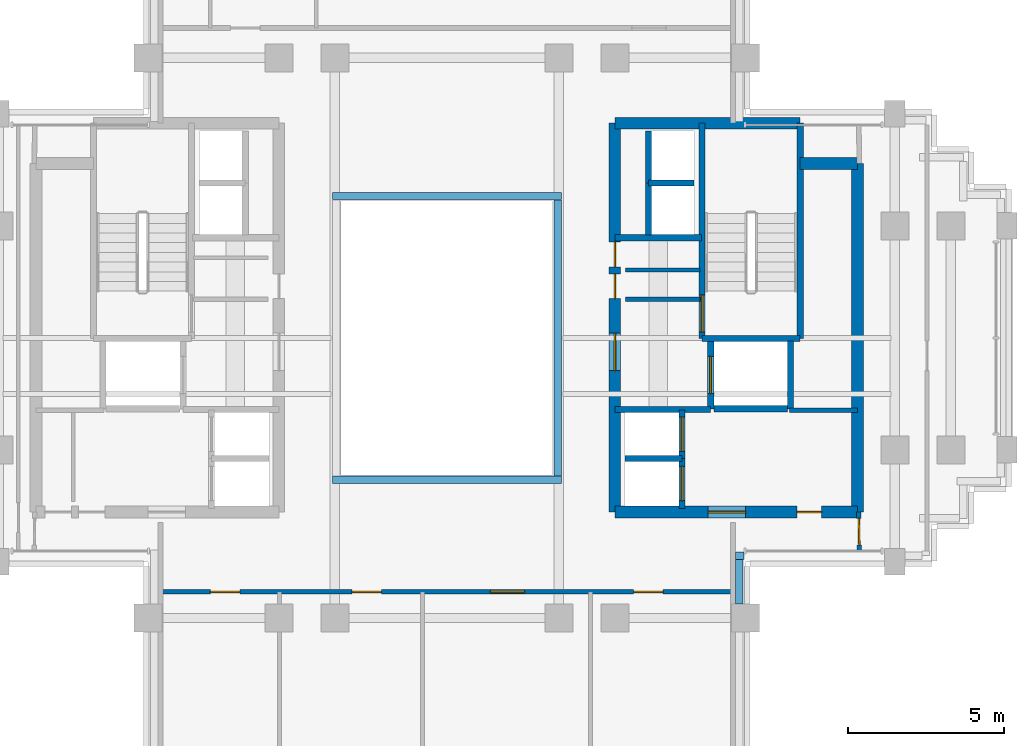
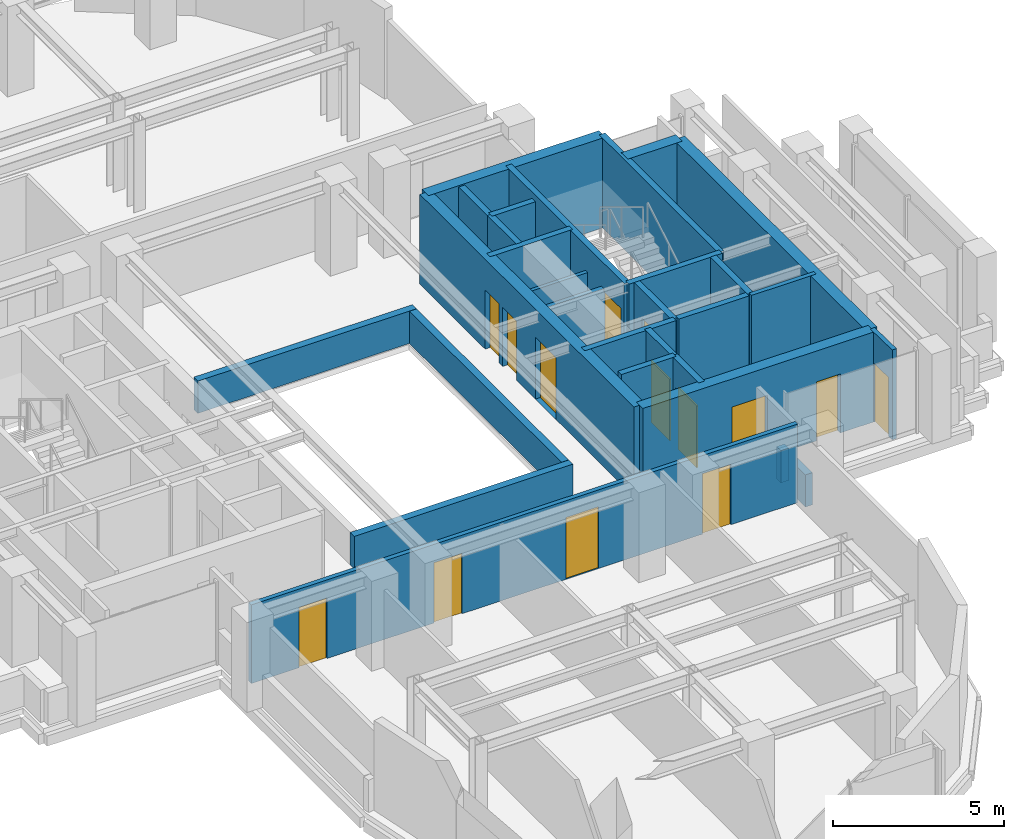
# One storey, part 7 of 11: 29 walls, 14 doors, 14 openings.
"""IFC4 building model written with IfcOpenShell, lengths in metres."""

from ifc_helpers import new_model, si_unit, direction, frame, frame_2d, origin, place, context, subcontext, project, spatial, rectangle, extrude, source, transform, mapped, material, layer, layer_set, type_object, element, fill, save


model = new_model("IFC4")

# Units and contexts
model_context = context("Model", 3, precision=1e-05, world=origin(), true_north=direction((0.0, 1.0)))
body_context = subcontext(model_context, "Body", "Model", "MODEL_VIEW")
ifc_project = project(units=[si_unit("LENGTHUNIT", "METRE"), si_unit("AREAUNIT", "SQUARE_METRE"), si_unit("VOLUMEUNIT", "CUBIC_METRE"), si_unit("PLANEANGLEUNIT", "RADIAN"), si_unit("MASSUNIT", "GRAM", prefix="KILO")], contexts=[model_context])

# Site, building, storey
site_placement = place(None, origin())
site = spatial("IfcSite", under=ifc_project, at=site_placement, CompositionType="ELEMENT")
building_placement = place(site_placement, origin())
building = spatial("IfcBuilding", under=site, at=building_placement, Name="Keilestroom Media Tower", CompositionType="ELEMENT")
storey_placement = place(building_placement, frame((0.0, 0.0, 167.199951171875)))
storey = spatial("IfcBuildingStorey", under=building, at=storey_placement, Name="L45", CompositionType="ELEMENT", Elevation=167.199951171875)

# Walls
ifc_material_1 = material(Name="Gypsum Plasterboard & Steel Stud", Category="steel")
ifc_layer_1 = layer(ifc_material_1, 0.1201171875)
ifc_layer_set_1 = layer_set([ifc_layer_1], Name="Gypsum Plasterboard & Steel Stud")
wall_type_1 = type_object("IfcWallType", Name="Interior-Partition-Wall-120", PredefinedType="PARTITIONING", material=ifc_layer_set_1)
wall_1_placement = place(storey_placement, frame((5.75, 2.179931640625, 0.0), z_axis=(0.0, 0.0, 1.0), x_axis=(1.0, 0.0, 0.0)))
element("IfcWall", 1, at=wall_1_placement, inside=storey, type_object=wall_type_1, Name="L45 Interior Wall WP-L45-CNE-N", PredefinedType="PARTITIONING", context=body_context, shape_type="SweptSolid", body=[
    extrude(rectangle(XDim=2.389892578125, YDim=0.1201171875, at=frame_2d((1.19482421875, 0.0))), origin(), (0.0, 0.0, 1.0), 2.300048828125),
])
ifc_layer_2 = layer(ifc_material_1, 0.14990234375)
ifc_layer_set_2 = layer_set([ifc_layer_2], Name="Gypsum Plasterboard & Steel Stud")
wall_type_2 = type_object("IfcWallType", Name="Interior-Partition-Wall-150", PredefinedType="PARTITIONING", material=ifc_layer_set_2)
wall_2_placement = place(storey_placement, frame((5.75, 1.239990234375, 0.0), z_axis=(0.0, 0.0, 1.0), x_axis=(1.0, 0.0, 0.0)))
element("IfcWall", 2, at=wall_2_placement, inside=storey, type_object=wall_type_2, Name="L45 Interior Wall WP-L45-FFE-TOP", PredefinedType="PARTITIONING", context=body_context, shape_type="SweptSolid", body=[
    extrude(rectangle(XDim=2.389892578125, YDim=0.14990234375, at=frame_2d((1.19482421875, 0.0))), origin(), (0.0, 0.0, 1.0), 2.300048828125),
])
wall_3_placement = place(storey_placement, frame((11.02001953125, -2.320068359375, 0.0), z_axis=(0.0, 0.0, 1.0), x_axis=(1.0, 0.0, 0.0)))
element("IfcWall", 3, at=wall_3_placement, inside=storey, type_object=wall_type_2, Name="L45 Interior Wall WP-L45-RECLE-N", PredefinedType="PARTITIONING", context=body_context, shape_type="SweptSolid", body=[
    extrude(rectangle(XDim=2.179931640625, YDim=0.14990234375, at=frame_2d((1.08984375, 0.0))), origin(), (0.0, 0.0, 1.0), 3.199951171875),
])

# Wall, openings, doors
wall_4_placement = place(storey_placement, frame((-9.199951171875, -8.159912109375, 0.0), z_axis=(0.0, 0.0, 1.0), x_axis=(1.0, 0.0, 0.0)))
wall_4 = element("IfcWall", 4, at=wall_4_placement, inside=storey, type_object=wall_type_2, Name="L45 Interior Wall WP-L45-SL-BASE", PredefinedType="PARTITIONING", context=body_context, shape_type="SweptSolid", body=[
    extrude(rectangle(XDim=18.39990234375, YDim=0.14990234375, at=frame_2d((9.199951171875, 0.0))), origin(), (0.0, 0.0, 1.0), 2.800048828125),
])
opening_1_placement = place(wall_4_placement, frame((1.60009765625, 0.0, 0.0)))
opening_1 = element("IfcOpeningElement", 5, at=opening_1_placement, cuts=wall_4, Name="Opening DI-03", PredefinedType="OPENING", context=body_context, shape_type="SweptSolid", body=[
    extrude(rectangle(XDim=0.949951171875, YDim=2.14990234375, at=frame_2d((0.47509765625, 1.074951171875))), frame((0.0, 0.0849609375, 0.0), z_axis=(0.0, -1.0, 0.0), x_axis=(1.0, 0.0, 0.0)), (0.0, 0.0, 1.0), 0.169921875),
])
opening_2_placement = place(wall_4_placement, frame((6.14990234375, 0.0, 0.0)))
opening_2 = element("IfcOpeningElement", 6, at=opening_2_placement, cuts=wall_4, Name="Opening DI-03", PredefinedType="OPENING", context=body_context, shape_type="SweptSolid", body=[
    extrude(rectangle(XDim=0.949951171875, YDim=2.14990234375, at=frame_2d((0.47509765625, 1.074951171875))), frame((0.0, 0.0849609375, 0.0), z_axis=(0.0, -1.0, 0.0), x_axis=(1.0, 0.0, 0.0)), (0.0, 0.0, 1.0), 0.169921875),
])
opening_3_placement = place(wall_4_placement, frame((10.60009765625, 0.0, 0.0)))
opening_3 = element("IfcOpeningElement", 7, at=opening_3_placement, cuts=wall_4, Name="Opening DI-04", PredefinedType="OPENING", context=body_context, shape_type="SweptSolid", body=[
    extrude(rectangle(XDim=1.10009765625, YDim=2.199951171875, at=frame_2d((0.550048828125, 1.10009765625))), frame((0.0, 0.0849609375, 0.0), z_axis=(0.0, -1.0, 0.0), x_axis=(1.0, 0.0, 0.0)), (0.0, 0.0, 1.0), 0.169921875),
])
opening_4_placement = place(wall_4_placement, frame((15.199951171875, 0.0, 0.0)))
opening_4 = element("IfcOpeningElement", 8, at=opening_4_placement, cuts=wall_4, Name="Opening DI-03", PredefinedType="OPENING", context=body_context, shape_type="SweptSolid", body=[
    extrude(rectangle(XDim=0.949951171875, YDim=2.14990234375, at=frame_2d((0.47509765625, 1.074951171875))), frame((0.0, 0.0849609375, 0.0), z_axis=(0.0, -1.0, 0.0), x_axis=(1.0, 0.0, 0.0)), (0.0, 0.0, 1.0), 0.169921875),
])
ifc_material_2 = material(Name="Lacquered European Oak Leaf", Category="wood")
door_type_1 = type_object("IfcDoorType", Name="Interior-Room-And-Suite-Door-DI-03", OperationType="NOTDEFINED", PredefinedType="DOOR", material=ifc_material_2)
shared_shape_1 = source(origin(), body_context, "Body", "SweptSolid", [
    extrude(rectangle(XDim=0.949951171875, YDim=2.14990234375, at=frame_2d((0.47509765625, 1.074951171875))), frame((0.0, 0.02490234375, 0.0), z_axis=(0.0, -1.0, 0.0), x_axis=(1.0, 0.0, 0.0)), (0.0, 0.0, 1.0), 0.050048828125),
])
door_1_placement = place(opening_1_placement, origin())
door_1 = element("IfcDoor", 9, at=door_1_placement, inside=storey, type_object=door_type_1, Name="L45 Interior Door DI-L45-DSL-Q1", OperationType="SINGLE_SWING_RIGHT", OverallHeight=2.14990234375, OverallWidth=0.949951171875, PredefinedType="DOOR", context=body_context, shape_type="MappedRepresentation", body=[
    mapped(shared_shape_1, transform((0.0, 0.0, 0.0), x_axis=(1.0, 0.0, 0.0), y_axis=(0.0, 1.0, 0.0), z_axis=(0.0, 0.0, 1.0), scale=1.0)),
])
fill(opening_1, door_1)
door_2_placement = place(opening_2_placement, origin())
door_2 = element("IfcDoor", 10, at=door_2_placement, inside=storey, type_object=door_type_1, Name="L45 Interior Door DI-L45-DSL-Q2", OperationType="SINGLE_SWING_LEFT", OverallHeight=2.14990234375, OverallWidth=0.949951171875, PredefinedType="DOOR", context=body_context, shape_type="MappedRepresentation", body=[
    mapped(shared_shape_1, transform((0.0, 0.0, 0.0), x_axis=(1.0, 0.0, 0.0), y_axis=(0.0, 1.0, 0.0), z_axis=(0.0, 0.0, 1.0), scale=1.0)),
])
fill(opening_2, door_2)
door_3_placement = place(opening_4_placement, origin())
door_3 = element("IfcDoor", 11, at=door_3_placement, inside=storey, type_object=door_type_1, Name="L45 Interior Door DI-L45-DSL-Q4", OperationType="SINGLE_SWING_LEFT", OverallHeight=2.14990234375, OverallWidth=0.949951171875, PredefinedType="DOOR", context=body_context, shape_type="MappedRepresentation", body=[
    mapped(shared_shape_1, transform((0.0, 0.0, 0.0), x_axis=(1.0, 0.0, 0.0), y_axis=(0.0, 1.0, 0.0), z_axis=(0.0, 0.0, 1.0), scale=1.0)),
])
fill(opening_4, door_3)
ifc_material_3 = material(Name="Acoustic Glazed Aluminium Leaf", Category="aluminium")
door_type_2 = type_object("IfcDoorType", Name="Interior-Room-And-Suite-Door-DI-04", OperationType="NOTDEFINED", PredefinedType="DOOR", material=ifc_material_3)
shared_shape_2 = source(origin(), body_context, "Body", "SweptSolid", [
    extrude(rectangle(XDim=1.10009765625, YDim=2.199951171875, at=frame_2d((0.550048828125, 1.10009765625))), frame((0.0, 0.02490234375, 0.0), z_axis=(0.0, -1.0, 0.0), x_axis=(1.0, 0.0, 0.0)), (0.0, 0.0, 1.0), 0.050048828125),
])
door_4_placement = place(opening_3_placement, origin())
door_4 = element("IfcDoor", 12, at=door_4_placement, inside=storey, type_object=door_type_2, Name="L45 Interior Door DI-L45-DSL-Q3", OperationType="SINGLE_SWING_RIGHT", OverallHeight=2.199951171875, OverallWidth=1.10009765625, PredefinedType="DOOR", context=body_context, shape_type="MappedRepresentation", body=[
    mapped(shared_shape_2, transform((0.0, 0.0, 0.0), x_axis=(1.0, 0.0, 0.0), y_axis=(0.0, 1.0, 0.0), z_axis=(0.0, 0.0, 1.0), scale=1.0)),
])
fill(opening_3, door_4)

# Wall, opening, door
wall_5_placement = place(storey_placement, frame((13.260009765625, -6.85009765625, 0.0), z_axis=(0.0, 0.0, 1.0), x_axis=(-0.016013571389, 0.999871774545, 0.0)))
wall_5 = element("IfcWall", 13, at=wall_5_placement, inside=storey, type_object=wall_type_2, Name="L45 Interior Wall WP-L45-EA-ENTS", PredefinedType="PARTITIONING", context=body_context, shape_type="SweptSolid", body=[
    extrude(rectangle(XDim=1.250244140625, YDim=0.14990234375, at=frame_2d((0.625, 0.0))), origin(), (0.0, 0.0, 1.0), 3.199951171875),
])
opening_5_placement = place(wall_5_placement, frame((0.199951171875, 0.0, 0.0)))
opening_5 = element("IfcOpeningElement", 14, at=opening_5_placement, cuts=wall_5, Name="Opening DI-05", PredefinedType="OPENING", context=body_context, shape_type="SweptSolid", body=[
    extrude(rectangle(XDim=0.85009765625, YDim=2.10009765625, at=frame_2d((0.425048828125, 1.050048828125))), frame((0.0, 0.0849609375, 0.0), z_axis=(0.0, -1.0, 0.0), x_axis=(1.0, 0.0, 0.0)), (0.0, 0.0, 1.0), 0.169921875),
])
ifc_material_4 = material(Name="Moisture-Resistant Oak Leaf", Category="wood")
door_type_3 = type_object("IfcDoorType", Name="Interior-En-Suite-And-Cupboard-Door-DI-05", OperationType="NOTDEFINED", PredefinedType="DOOR", material=ifc_material_4)
shared_shape_3 = source(origin(), body_context, "Body", "SweptSolid", [
    extrude(rectangle(XDim=0.85009765625, YDim=2.10009765625, at=frame_2d((0.425048828125, 1.050048828125))), frame((0.0, 0.02490234375, 0.0), z_axis=(0.0, -1.0, 0.0), x_axis=(1.0, 0.0, 0.0)), (0.0, 0.0, 1.0), 0.050048828125),
])
door_5_placement = place(opening_5_placement, origin())
door_5 = element("IfcDoor", 15, at=door_5_placement, inside=storey, type_object=door_type_3, Name="L45 Interior Door DI-L45-DEA-W", OperationType="SINGLE_SWING_LEFT", OverallHeight=2.10009765625, OverallWidth=0.85009765625, PredefinedType="DOOR", context=body_context, shape_type="MappedRepresentation", body=[
    mapped(shared_shape_3, transform((0.0, 0.0, 0.0), x_axis=(1.0, 0.0, 0.0), y_axis=(0.0, 1.0, 0.0), z_axis=(0.0, 0.0, 1.0), scale=1.0)),
])
fill(opening_5, door_5)

# Wall
ifc_material_5 = material(Name="Concrete C55/67", Category="concrete")
ifc_layer_3 = layer(ifc_material_5, 0.3798828125)
ifc_layer_set_3 = layer_set([ifc_layer_3], Name="Concrete C55/67")
wall_type_3 = type_object("IfcWallType", Name="Reinforced-Concrete-Core-Shear-Wall-380", PredefinedType="SHEAR", material=ifc_layer_set_3)
wall_6_placement = place(storey_placement, frame((13.199951171875, -5.60009765625, 0.0), z_axis=(0.0, 0.0, 1.0), x_axis=(0.0, 1.0, 0.0)))
element("IfcWall", 16, at=wall_6_placement, inside=storey, type_object=wall_type_3, Name="L45 Core Shear Wall WL-L45-CORE-E-OUT", PredefinedType="SHEAR", context=body_context, shape_type="SweptSolid", body=[
    extrude(rectangle(XDim=11.2001953125, YDim=0.3798828125, at=frame_2d((5.60009765625, 0.0))), origin(), (0.0, 0.0, 1.0), 3.199951171875),
])

# Wall, openings, doors
wall_7_placement = place(storey_placement, frame((5.39990234375, -5.60009765625, 0.0), z_axis=(0.0, 0.0, 1.0), x_axis=(0.0, 1.0, 0.0)))
wall_7 = element("IfcWall", 17, at=wall_7_placement, inside=storey, type_object=wall_type_3, Name="L45 Core Shear Wall WL-L45-CORE-E-IN", PredefinedType="SHEAR", context=body_context, shape_type="SweptSolid", body=[
    extrude(rectangle(XDim=12.5, YDim=0.3798828125, at=frame_2d((6.25, 0.0))), origin(), (0.0, 0.0, 1.0), 3.199951171875),
])
opening_6_placement = place(wall_7_placement, frame((4.550048828125, 0.0, 0.0)))
opening_6 = element("IfcOpeningElement", 18, at=opening_6_placement, cuts=wall_7, Name="Opening DI-02", PredefinedType="OPENING", context=body_context, shape_type="SweptSolid", body=[
    extrude(rectangle(XDim=1.199951171875, YDim=2.199951171875, at=frame_2d((0.60009765625, 1.10009765625))), frame((0.0, 0.199951171875, 0.0), z_axis=(0.0, -1.0, 0.0), x_axis=(1.0, 0.0, 0.0)), (0.0, 0.0, 1.0), 0.39990234375),
])
opening_7_placement = place(wall_7_placement, frame((6.860107421875, 0.0, 0.0)))
opening_7 = element("IfcOpeningElement", 19, at=opening_7_placement, cuts=wall_7, Name="Opening DI-06", PredefinedType="OPENING", context=body_context, shape_type="SweptSolid", body=[
    extrude(rectangle(XDim=0.800048828125, YDim=2.10009765625, at=frame_2d((0.39990234375, 1.050048828125))), frame((0.0, 0.199951171875, 0.0), z_axis=(0.0, -1.0, 0.0), x_axis=(1.0, 0.0, 0.0)), (0.0, 0.0, 1.0), 0.39990234375),
])
opening_8_placement = place(wall_7_placement, frame((7.8798828125, 0.0, 0.0)))
opening_8 = element("IfcOpeningElement", 20, at=opening_8_placement, cuts=wall_7, Name="Opening DI-06", PredefinedType="OPENING", context=body_context, shape_type="SweptSolid", body=[
    extrude(rectangle(XDim=0.800048828125, YDim=2.10009765625, at=frame_2d((0.39990234375, 1.050048828125))), frame((0.0, 0.199951171875, 0.0), z_axis=(0.0, -1.0, 0.0), x_axis=(1.0, 0.0, 0.0)), (0.0, 0.0, 1.0), 0.39990234375),
])
ifc_material_6 = material(Name="Powder-Coated Steel Fire Leaf", Category="steel")
door_type_4 = type_object("IfcDoorType", Name="Interior-Compartment-Fire-Door-DI-02", OperationType="NOTDEFINED", PredefinedType="DOOR", material=ifc_material_6)
shared_shape_4 = source(origin(), body_context, "Body", "SweptSolid", [
    extrude(rectangle(XDim=1.199951171875, YDim=2.199951171875, at=frame_2d((0.60009765625, 1.10009765625))), frame((0.0, 0.02490234375, 0.0), z_axis=(0.0, -1.0, 0.0), x_axis=(1.0, 0.0, 0.0)), (0.0, 0.0, 1.0), 0.050048828125),
])
door_6_placement = place(opening_6_placement, origin())
door_6 = element("IfcDoor", 21, at=door_6_placement, inside=storey, type_object=door_type_4, Name="L45 E Firefighting Lobby Door", OperationType="SINGLE_SWING_LEFT", OverallHeight=2.199951171875, OverallWidth=1.199951171875, PredefinedType="DOOR", context=body_context, shape_type="MappedRepresentation", body=[
    mapped(shared_shape_4, transform((0.0, 0.0, 0.0), x_axis=(1.0, 0.0, 0.0), y_axis=(0.0, 1.0, 0.0), z_axis=(0.0, 0.0, 1.0), scale=1.0)),
])
fill(opening_6, door_6)
ifc_material_7 = material(Name="Powder-Coated Steel Service Leaf", Category="steel")
door_type_5 = type_object("IfcDoorType", Name="Interior-Riser-Access-Door-DI-06", OperationType="NOTDEFINED", PredefinedType="DOOR", material=ifc_material_7)
shared_shape_5 = source(origin(), body_context, "Body", "SweptSolid", [
    extrude(rectangle(XDim=0.800048828125, YDim=2.10009765625, at=frame_2d((0.39990234375, 1.050048828125))), frame((0.0, 0.02490234375, 0.0), z_axis=(0.0, -1.0, 0.0), x_axis=(1.0, 0.0, 0.0)), (0.0, 0.0, 1.0), 0.050048828125),
])
door_7_placement = place(opening_7_placement, origin())
door_7 = element("IfcDoor", 22, at=door_7_placement, inside=storey, type_object=door_type_5, Name="L45 East Core Telecom Door", OperationType="SINGLE_SWING_RIGHT", OverallHeight=2.10009765625, OverallWidth=0.800048828125, PredefinedType="DOOR", context=body_context, shape_type="MappedRepresentation", body=[
    mapped(shared_shape_5, transform((0.0, 0.0, 0.0), x_axis=(1.0, 0.0, 0.0), y_axis=(0.0, 1.0, 0.0), z_axis=(0.0, 0.0, 1.0), scale=1.0)),
])
fill(opening_7, door_7)
door_8_placement = place(opening_8_placement, origin())
door_8 = element("IfcDoor", 23, at=door_8_placement, inside=storey, type_object=door_type_5, Name="L45 East Core Closet Door", OperationType="SINGLE_SWING_RIGHT", OverallHeight=2.10009765625, OverallWidth=0.800048828125, PredefinedType="DOOR", context=body_context, shape_type="MappedRepresentation", body=[
    mapped(shared_shape_5, transform((0.0, 0.0, 0.0), x_axis=(1.0, 0.0, 0.0), y_axis=(0.0, 1.0, 0.0), z_axis=(0.0, 0.0, 1.0), scale=1.0)),
])
fill(opening_8, door_8)

# Walls
wall_8_placement = place(storey_placement, frame((5.39990234375, 6.89990234375, 0.0), z_axis=(0.0, 0.0, 1.0), x_axis=(1.0, 0.0, 0.0)))
element("IfcWall", 24, at=wall_8_placement, inside=storey, type_object=wall_type_3, Name="L45 Core Shear Wall WL-L45-CORE-E-N", PredefinedType="SHEAR", context=body_context, shape_type="SweptSolid", body=[
    extrude(rectangle(XDim=5.9560546875, YDim=0.3798828125, at=frame_2d((2.97802734375, 0.0))), origin(), (0.0, 0.0, 1.0), 3.199951171875),
])
wall_9_placement = place(storey_placement, frame((11.35595703125, 5.60009765625, 0.0), z_axis=(0.0, 0.0, 1.0), x_axis=(1.0, 0.0, 0.0)))
element("IfcWall", 25, at=wall_9_placement, inside=storey, type_object=wall_type_3, Name="L45 Core Shear Wall WL-L45-CNE-N", PredefinedType="SHEAR", context=body_context, shape_type="SweptSolid", body=[
    extrude(rectangle(XDim=1.843994140625, YDim=0.3798828125, at=frame_2d((0.921875, 0.0))), origin(), (0.0, 0.0, 1.0), 3.199951171875),
])

# Wall, openings, doors
wall_10_placement = place(storey_placement, frame((5.39990234375, -5.60009765625, 0.0), z_axis=(0.0, 0.0, 1.0), x_axis=(1.0, 0.0, 0.0)))
wall_10 = element("IfcWall", 26, at=wall_10_placement, inside=storey, type_object=wall_type_3, Name="L45 Core Shear Wall WL-L45-CORE-E-S", PredefinedType="SHEAR", context=body_context, shape_type="SweptSolid", body=[
    extrude(rectangle(XDim=7.800048828125, YDim=0.3798828125, at=frame_2d((3.89990234375, 0.0))), origin(), (0.0, 0.0, 1.0), 3.199951171875),
])
opening_9_placement = place(wall_10_placement, frame((3.0, 0.0, 0.0)))
opening_9 = element("IfcOpeningElement", 27, at=opening_9_placement, cuts=wall_10, Name="Opening DI-02", PredefinedType="OPENING", context=body_context, shape_type="SweptSolid", body=[
    extrude(rectangle(XDim=1.199951171875, YDim=2.199951171875, at=frame_2d((0.60009765625, 1.10009765625))), frame((0.0, 0.199951171875, 0.0), z_axis=(0.0, -1.0, 0.0), x_axis=(1.0, 0.0, 0.0)), (0.0, 0.0, 1.0), 0.39990234375),
])
opening_10_placement = place(wall_10_placement, frame((5.85009765625, 0.0, 0.0)))
opening_10 = element("IfcOpeningElement", 28, at=opening_10_placement, cuts=wall_10, Name="Opening DI-06", PredefinedType="OPENING", context=body_context, shape_type="SweptSolid", body=[
    extrude(rectangle(XDim=0.800048828125, YDim=2.10009765625, at=frame_2d((0.39990234375, 1.050048828125))), frame((0.0, 0.199951171875, 0.0), z_axis=(0.0, -1.0, 0.0), x_axis=(1.0, 0.0, 0.0)), (0.0, 0.0, 1.0), 0.39990234375),
])
door_9_placement = place(opening_9_placement, origin())
door_9 = element("IfcDoor", 29, at=door_9_placement, inside=storey, type_object=door_type_4, Name="L45 E Passenger Lift Lobby Door", OperationType="SINGLE_SWING_RIGHT", OverallHeight=2.199951171875, OverallWidth=1.199951171875, PredefinedType="DOOR", context=body_context, shape_type="MappedRepresentation", body=[
    mapped(shared_shape_4, transform((0.0, 0.0, 0.0), x_axis=(1.0, 0.0, 0.0), y_axis=(0.0, 1.0, 0.0), z_axis=(0.0, 0.0, 1.0), scale=1.0)),
])
fill(opening_9, door_9)
door_10_placement = place(opening_10_placement, origin())
door_10 = element("IfcDoor", 30, at=door_10_placement, inside=storey, type_object=door_type_5, Name="L45 Reclaimed East Core Room Door", OperationType="SINGLE_SWING_RIGHT", OverallHeight=2.10009765625, OverallWidth=0.800048828125, PredefinedType="DOOR", context=body_context, shape_type="MappedRepresentation", body=[
    mapped(shared_shape_5, transform((0.0, 0.0, 0.0), x_axis=(1.0, 0.0, 0.0), y_axis=(0.0, 1.0, 0.0), z_axis=(0.0, 0.0, 1.0), scale=1.0)),
])
fill(opening_10, door_10)

# Walls
ifc_material_8 = material(Name="Concrete C50/60", Category="concrete")
ifc_layer_4 = layer(ifc_material_8, 0.199951171875)
ifc_layer_set_4 = layer_set([ifc_layer_4], Name="Concrete C50/60")
wall_type_4 = type_object("IfcWallType", Name="Reinforced-Concrete-Shaft-Wall-200", PredefinedType="SOLIDWALL", material=ifc_layer_set_4)
wall_11_placement = place(storey_placement, frame((5.39990234375, 3.219970703125, 0.0), z_axis=(0.0, 0.0, 1.0), x_axis=(1.0, 0.0, 0.0)))
element("IfcWall", 31, at=wall_11_placement, inside=storey, type_object=wall_type_4, Name="L45 Core Shear Wall WL-L45-CORE-E-FFN", PredefinedType="SOLIDWALL", context=body_context, shape_type="SweptSolid", body=[
    extrude(rectangle(XDim=2.780029296875, YDim=0.199951171875, at=frame_2d((1.39013671875, 0.0))), origin(), (0.0, 0.0, 1.0), 3.199951171875),
])
wall_12_placement = place(storey_placement, frame((5.39990234375, -2.300048828125, 0.0), z_axis=(0.0, 0.0, 1.0), x_axis=(1.0, 0.0, 0.0)))
element("IfcWall", 32, at=wall_12_placement, inside=storey, type_object=wall_type_4, Name="L45 Core Shear Wall WL-L45-CORE-E-FFS", PredefinedType="SOLIDWALL", context=body_context, shape_type="SweptSolid", body=[
    extrude(rectangle(XDim=3.080078125, YDim=0.199951171875, at=frame_2d((1.5400390625, 0.0))), origin(), (0.0, 0.0, 1.0), 3.199951171875),
])

# Wall, opening, door
wall_13_placement = place(storey_placement, frame((8.2041015625, -0.01611328125, 0.0), z_axis=(0.0, 0.0, 1.0), x_axis=(0.0, 1.0, 0.0)))
wall_13 = element("IfcWall", 33, at=wall_13_placement, inside=storey, type_object=wall_type_4, Name="L45 Core Shear Wall WL-L45-STW-E-NEAR", PredefinedType="SOLIDWALL", context=body_context, shape_type="SweptSolid", body=[
    extrude(rectangle(XDim=6.916015625, YDim=0.199951171875, at=frame_2d((3.4580078125, 0.0))), origin(), (0.0, 0.0, 1.0), 3.199951171875),
])
opening_11_placement = place(wall_13_placement, frame((0.199951171875, 0.0, 0.0)))
opening_11 = element("IfcOpeningElement", 34, at=opening_11_placement, cuts=wall_13, Name="Opening DI-01S", PredefinedType="OPENING", context=body_context, shape_type="SweptSolid", body=[
    extrude(rectangle(XDim=1.199951171875, YDim=2.199951171875, at=frame_2d((0.60009765625, 1.10009765625))), frame((0.0, 0.10986328125, 0.0), z_axis=(0.0, -1.0, 0.0), x_axis=(1.0, 0.0, 0.0)), (0.0, 0.0, 1.0), 0.219970703125),
])
door_type_6 = type_object("IfcDoorType", Name="Interior-Stair-And-Core-Fire-Door-DI-01", OperationType="NOTDEFINED", PredefinedType="DOOR", material=ifc_material_6)
door_11_placement = place(opening_11_placement, origin())
door_11 = element("IfcDoor", 35, at=door_11_placement, inside=storey, type_object=door_type_6, Name="L45 Escape Stair ST-2 Fire Door", OperationType="SINGLE_SWING_RIGHT", OverallHeight=2.199951171875, OverallWidth=1.199951171875, PredefinedType="DOOR", context=body_context, shape_type="MappedRepresentation", body=[
    mapped(shared_shape_4, transform((0.0, 0.0, 0.0), x_axis=(1.0, 0.0, 0.0), y_axis=(0.0, 1.0, 0.0), z_axis=(0.0, 0.0, 1.0), scale=1.0)),
])
fill(opening_11, door_11)

# Walls
wall_14_placement = place(storey_placement, frame((11.35595703125, -0.01611328125, 0.0), z_axis=(0.0, 0.0, 1.0), x_axis=(0.0, 1.0, 0.0)))
element("IfcWall", 36, at=wall_14_placement, inside=storey, type_object=wall_type_4, Name="L45 Core Shear Wall WL-L45-STW-E-FAR", PredefinedType="SOLIDWALL", context=body_context, shape_type="SweptSolid", body=[
    extrude(rectangle(XDim=6.916015625, YDim=0.199951171875, at=frame_2d((3.4580078125, 0.0))), origin(), (0.0, 0.0, 1.0), 3.199951171875),
])
wall_15_placement = place(storey_placement, frame((8.2041015625, -0.01611328125, 0.0), z_axis=(0.0, 0.0, 1.0), x_axis=(1.0, 0.0, 0.0)))
element("IfcWall", 37, at=wall_15_placement, inside=storey, type_object=wall_type_4, Name="L45 Core Shear Wall WL-L45-STW-E-S", PredefinedType="SOLIDWALL", context=body_context, shape_type="SweptSolid", body=[
    extrude(rectangle(XDim=3.15185546875, YDim=0.199951171875, at=frame_2d((1.575927734375, 0.0))), origin(), (0.0, 0.0, 1.0), 3.199951171875),
])

# Wall, opening, door
wall_16_placement = place(storey_placement, frame((8.47998046875, -2.280029296875, 0.0), z_axis=(0.0, 0.0, 1.0), x_axis=(0.0, 1.0, 0.0)))
wall_16 = element("IfcWall", 38, at=wall_16_placement, inside=storey, type_object=wall_type_4, Name="L45 Core Shear Wall WL-L45-LSH-FFL-2-W", PredefinedType="SOLIDWALL", context=body_context, shape_type="SweptSolid", body=[
    extrude(rectangle(XDim=2.179931640625, YDim=0.199951171875, at=frame_2d((1.08984375, 0.0))), origin(), (0.0, 0.0, 1.0), 3.199951171875),
])
opening_12_placement = place(wall_16_placement, frame((0.489990234375, 0.0, 0.0)))
opening_12 = element("IfcOpeningElement", 39, at=opening_12_placement, cuts=wall_16, Name="Opening LD-02", PredefinedType="OPENING", context=body_context, shape_type="SweptSolid", body=[
    extrude(rectangle(XDim=1.199951171875, YDim=2.199951171875, at=frame_2d((0.60009765625, 1.10009765625))), frame((0.0, 0.10986328125, 0.0), z_axis=(0.0, -1.0, 0.0), x_axis=(1.0, 0.0, 0.0)), (0.0, 0.0, 1.0), 0.219970703125),
])
ifc_material_9 = material(Name="Brushed Stainless Steel Sliding Leaf", Category="steel")
door_type_7 = type_object("IfcDoorType", Name="Lift-Landing-Sliding-Door-LD-02", OperationType="SLIDING_TO_RIGHT", PredefinedType="DOOR", material=ifc_material_9)
door_12_placement = place(opening_12_placement, origin())
door_12 = element("IfcDoor", 40, at=door_12_placement, inside=storey, type_object=door_type_7, Name="L45 Lift FFL-2 Landing Sliding Door", OperationType="SLIDING_TO_RIGHT", OverallHeight=2.199951171875, OverallWidth=1.199951171875, PredefinedType="DOOR", context=body_context, shape_type="MappedRepresentation", body=[
    mapped(shared_shape_4, transform((0.0, 0.0, 0.0), x_axis=(1.0, 0.0, 0.0), y_axis=(0.0, 1.0, 0.0), z_axis=(0.0, 0.0, 1.0), scale=1.0)),
])
fill(opening_12, door_12)

# Walls
wall_17_placement = place(storey_placement, frame((11.050048828125, -2.280029296875, 0.0), z_axis=(0.0, 0.0, 1.0), x_axis=(0.0, 1.0, 0.0)))
element("IfcWall", 41, at=wall_17_placement, inside=storey, type_object=wall_type_4, Name="L45 Core Shear Wall WL-L45-LSH-FFL-2-E", PredefinedType="SOLIDWALL", context=body_context, shape_type="SweptSolid", body=[
    extrude(rectangle(XDim=2.179931640625, YDim=0.199951171875, at=frame_2d((1.08984375, 0.0))), origin(), (0.0, 0.0, 1.0), 3.199951171875),
])
wall_18_placement = place(storey_placement, frame((8.583984375, -2.280029296875, 0.0), z_axis=(0.0, 0.0, 1.0), x_axis=(1.0, 0.0, 0.0)))
element("IfcWall", 42, at=wall_18_placement, inside=storey, type_object=wall_type_4, Name="L45 Core Shear Wall WL-L45-LSH-FFL-2-S", PredefinedType="SOLIDWALL", context=body_context, shape_type="SweptSolid", body=[
    extrude(rectangle(XDim=2.362060546875, YDim=0.199951171875, at=frame_2d((1.18115234375, 0.0))), origin(), (0.0, 0.0, 1.0), 3.199951171875),
])

# Wall, opening, door
wall_19_placement = place(storey_placement, frame((7.56005859375, -5.47998046875, 0.0), z_axis=(0.0, 0.0, 1.0), x_axis=(0.0, 1.0, 0.0)))
wall_19 = element("IfcWall", 43, at=wall_19_placement, inside=storey, type_object=wall_type_4, Name="L45 Core Shear Wall WL-L45-LSH-PL-M3-E", PredefinedType="SOLIDWALL", context=body_context, shape_type="SweptSolid", body=[
    extrude(rectangle(XDim=1.60009765625, YDim=0.199951171875, at=frame_2d((0.800048828125, 0.0))), origin(), (0.0, 0.0, 1.0), 3.199951171875),
])
opening_13_placement = place(wall_19_placement, frame((0.25, 0.0, 0.0)))
opening_13 = element("IfcOpeningElement", 44, at=opening_13_placement, cuts=wall_19, Name="Opening LD-01", PredefinedType="OPENING", context=body_context, shape_type="SweptSolid", body=[
    extrude(rectangle(XDim=1.10009765625, YDim=2.199951171875, at=frame_2d((0.550048828125, 1.10009765625))), frame((0.0, 0.10986328125, 0.0), z_axis=(0.0, -1.0, 0.0), x_axis=(1.0, 0.0, 0.0)), (0.0, 0.0, 1.0), 0.219970703125),
])
door_type_8 = type_object("IfcDoorType", Name="Lift-Landing-Sliding-Door-LD-01", OperationType="SLIDING_TO_LEFT", PredefinedType="DOOR", material=ifc_material_9)
door_13_placement = place(opening_13_placement, origin())
door_13 = element("IfcDoor", 45, at=door_13_placement, inside=storey, type_object=door_type_8, Name="L45 Lift PL-M3 Landing Sliding Door", OperationType="SLIDING_TO_LEFT", OverallHeight=2.199951171875, OverallWidth=1.10009765625, PredefinedType="DOOR", context=body_context, shape_type="MappedRepresentation", body=[
    mapped(shared_shape_2, transform((0.0, 0.0, 0.0), x_axis=(1.0, 0.0, 0.0), y_axis=(0.0, 1.0, 0.0), z_axis=(0.0, 0.0, 1.0), scale=1.0)),
])
fill(opening_13, door_13)

# Wall
wall_20_placement = place(storey_placement, frame((5.719970703125, -3.8798828125, 0.0), z_axis=(0.0, 0.0, 1.0), x_axis=(1.0, 0.0, 0.0)))
element("IfcWall", 46, at=wall_20_placement, inside=storey, type_object=wall_type_4, Name="L45 Core Shear Wall WL-L45-LSH-PL-M3-N", PredefinedType="SOLIDWALL", context=body_context, shape_type="SweptSolid", body=[
    extrude(rectangle(XDim=1.840087890625, YDim=0.199951171875, at=frame_2d((0.919921875, 0.0))), origin(), (0.0, 0.0, 1.0), 3.199951171875),
])

# Wall, opening, door
wall_21_placement = place(storey_placement, frame((7.56005859375, -3.8798828125, 0.0), z_axis=(0.0, 0.0, 1.0), x_axis=(0.0, 1.0, 0.0)))
wall_21 = element("IfcWall", 47, at=wall_21_placement, inside=storey, type_object=wall_type_4, Name="L45 Core Shear Wall WL-L45-LSH-PL-M4-E", PredefinedType="SOLIDWALL", context=body_context, shape_type="SweptSolid", body=[
    extrude(rectangle(XDim=1.559814453125, YDim=0.199951171875, at=frame_2d((0.77978515625, 0.0))), origin(), (0.0, 0.0, 1.0), 3.199951171875),
])
opening_14_placement = place(wall_21_placement, frame((0.22998046875, 0.0, 0.0)))
opening_14 = element("IfcOpeningElement", 48, at=opening_14_placement, cuts=wall_21, Name="Opening LD-01", PredefinedType="OPENING", context=body_context, shape_type="SweptSolid", body=[
    extrude(rectangle(XDim=1.10009765625, YDim=2.199951171875, at=frame_2d((0.550048828125, 1.10009765625))), frame((0.0, 0.10986328125, 0.0), z_axis=(0.0, -1.0, 0.0), x_axis=(1.0, 0.0, 0.0)), (0.0, 0.0, 1.0), 0.219970703125),
])
door_14_placement = place(opening_14_placement, origin())
door_14 = element("IfcDoor", 49, at=door_14_placement, inside=storey, type_object=door_type_8, Name="L45 Lift PL-M4 Landing Sliding Door", OperationType="SLIDING_TO_LEFT", OverallHeight=2.199951171875, OverallWidth=1.10009765625, PredefinedType="DOOR", context=body_context, shape_type="MappedRepresentation", body=[
    mapped(shared_shape_2, transform((0.0, 0.0, 0.0), x_axis=(1.0, 0.0, 0.0), y_axis=(0.0, 1.0, 0.0), z_axis=(0.0, 0.0, 1.0), scale=1.0)),
])
fill(opening_14, door_14)

# Walls
wall_22_placement = place(storey_placement, frame((6.47998046875, 3.300048828125, 0.0), z_axis=(0.0, 0.0, 1.0), x_axis=(0.0, 1.0, 0.0)))
element("IfcWall", 50, at=wall_22_placement, inside=storey, type_object=wall_type_4, Name="L45 Core Shear Wall WL-L45-LSH-PL-H3-W", PredefinedType="SOLIDWALL", context=body_context, shape_type="SweptSolid", body=[
    extrude(rectangle(XDim=1.679931640625, YDim=0.199951171875, at=frame_2d((0.83984375, 0.0))), origin(), (0.0, 0.0, 1.0), 3.199951171875),
])
wall_23_placement = place(storey_placement, frame((6.47998046875, 4.97998046875, 0.0), z_axis=(0.0, 0.0, 1.0), x_axis=(1.0, 0.0, 0.0)))
element("IfcWall", 51, at=wall_23_placement, inside=storey, type_object=wall_type_4, Name="L45 Core Shear Wall WL-L45-LSH-PL-H3-N", PredefinedType="SOLIDWALL", context=body_context, shape_type="SweptSolid", body=[
    extrude(rectangle(XDim=1.469970703125, YDim=0.199951171875, at=frame_2d((0.73486328125, 0.0))), origin(), (0.0, 0.0, 1.0), 3.199951171875),
])
wall_24_placement = place(storey_placement, frame((6.47998046875, 4.97998046875, 0.0), z_axis=(0.0, 0.0, 1.0), x_axis=(0.0, 1.0, 0.0)))
element("IfcWall", 52, at=wall_24_placement, inside=storey, type_object=wall_type_4, Name="L45 Core Shear Wall WL-L45-LSH-PL-H4-W", PredefinedType="SOLIDWALL", context=body_context, shape_type="SweptSolid", body=[
    extrude(rectangle(XDim=1.669921875, YDim=0.199951171875, at=frame_2d((0.8349609375, 0.0))), origin(), (0.0, 0.0, 1.0), 3.199951171875),
])
ifc_material_10 = material(Name="Precast concrete C40/50", Category="concrete")
ifc_layer_5 = layer(ifc_material_10, 0.239990234375)
ifc_layer_set_5 = layer_set([ifc_layer_5], Name="Precast concrete C40/50")
wall_type_5 = type_object("IfcWallType", Name="Roof-And-Terrace-Parapet-Wall-240", PredefinedType="PARAPET", material=ifc_layer_set_5)
wall_25_placement = place(storey_placement, frame((9.547119140625, -7.0, 0.0), z_axis=(0.0, 0.0, 1.0), x_axis=(-1.0, 0.0, 0.0)))
element("IfcWall", 53, at=wall_25_placement, inside=storey, type_object=wall_type_5, Name="L45 Perimeter Edge Parapet Wall 07", PredefinedType="PARAPET", context=body_context, shape_type="SweptSolid", body=[
    extrude(rectangle(XDim=0.26904296875, YDim=0.239990234375, at=frame_2d((0.134521484375, 0.0))), origin(), (0.0, 0.0, 1.0), 1.150146484375),
])
wall_26_placement = place(storey_placement, frame((9.39990234375, -7.123046875, 0.0), z_axis=(0.0, 0.0, 1.0), x_axis=(0.0, -1.0, 0.0)))
element("IfcWall", 54, at=wall_26_placement, inside=storey, type_object=wall_type_5, Name="L45 Perimeter Edge Parapet Wall 08", PredefinedType="PARAPET", context=body_context, shape_type="SweptSolid", body=[
    extrude(rectangle(XDim=1.424072265625, YDim=0.239990234375, at=frame_2d((0.7119140625, 0.0))), origin(), (0.0, 0.0, 1.0), 1.150146484375),
])
for number, where, z_axis, x_axis, name in (
    (55, (-3.679931640625, -4.56005859375, 0.0), (0.0, 0.0, 1.0), (1.0, 0.0, 0.0), "L45 Central Atrium Guard Parapet S"),
    (56, (-3.679931640625, 4.56005859375, 0.0), (0.0, 0.0, 1.0), (1.0, 0.0, 0.0), "L45 Central Atrium Guard Parapet N"),
):
    element("IfcWall", number, at=place(storey_placement, frame(where, z_axis=z_axis, x_axis=x_axis)), inside=storey, type_object=wall_type_5, Name=name, PredefinedType="PARAPET", context=body_context, shape_type="SweptSolid", body=[
        extrude(rectangle(XDim=7.35986328125, YDim=0.239990234375, at=frame_2d((3.679931640625, 0.0))), origin(), (0.0, 0.0, 1.0), 1.150146484375),
    ])
wall_27_placement = place(storey_placement, frame((3.56005859375, -4.43505859375, 0.0), z_axis=(0.0, 0.0, 1.0), x_axis=(0.0, 1.0, 0.0)))
element("IfcWall", 57, at=wall_27_placement, inside=storey, type_object=wall_type_5, Name="L45 Central Atrium Guard Parapet E", PredefinedType="PARAPET", context=body_context, shape_type="SweptSolid", body=[
    extrude(rectangle(XDim=8.8701171875, YDim=0.239990234375, at=frame_2d((4.43505859375, 0.0))), origin(), (0.0, 0.0, 1.0), 1.150146484375),
])

save(model, "model.ifc")
